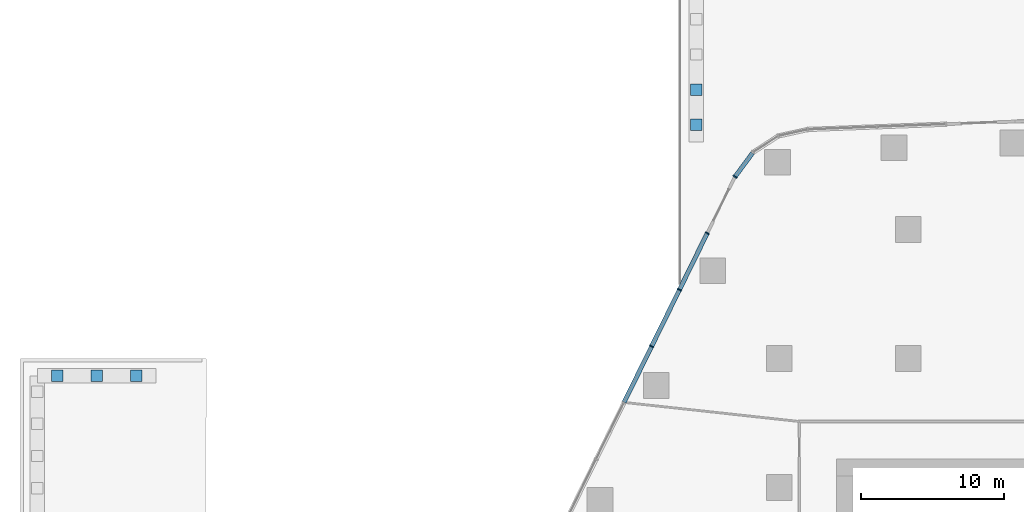
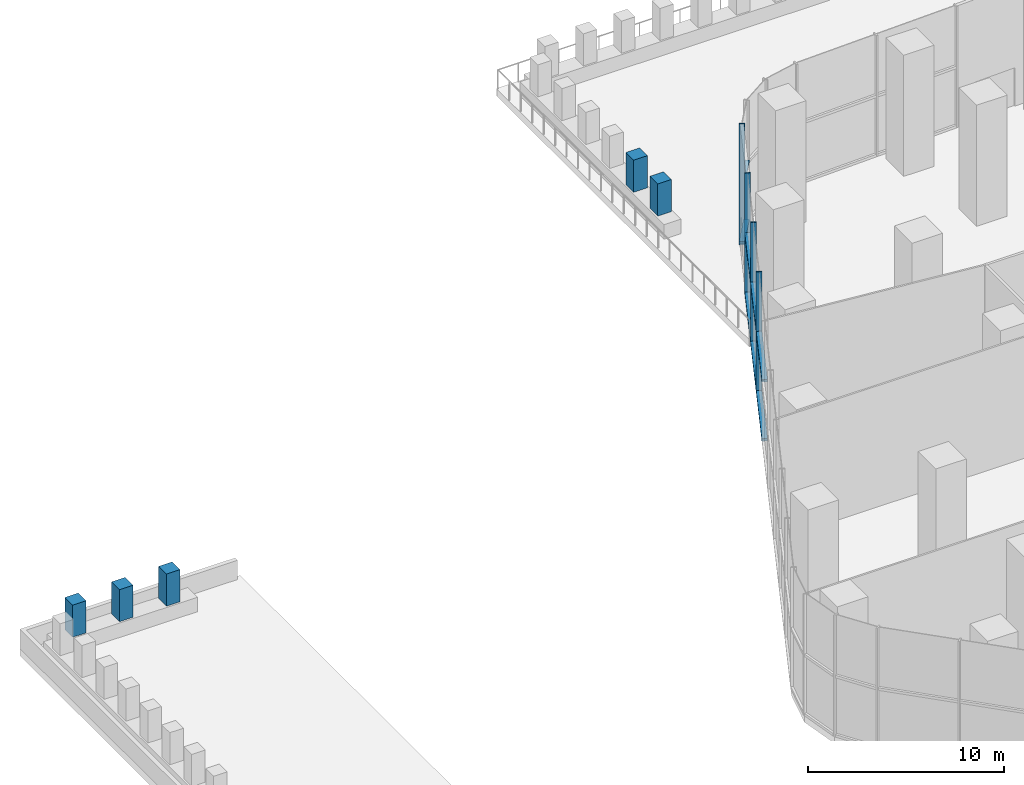
# One storey, part 7 of 22: 17 members, 2 elements without a shape of their own.
"""IFC4 building model written with IfcOpenShell, lengths in metres."""

from ifc_helpers import new_model, si_unit, direction, frame, origin, origin_2d, place, context, subcontext, project, spatial, rectangle, extrude, material, layer, layer_set, material_profile, profile_set, type_object, element, aggregate, save


model = new_model("IFC4")

# Units and contexts
model_context = context("Model", 3, precision=1e-05, world=origin(), true_north=direction((0.0, 1.0)))
body_context = subcontext(model_context, "Body", "Model", "MODEL_VIEW")
ifc_project = project(units=[si_unit("LENGTHUNIT", "METRE"), si_unit("AREAUNIT", "SQUARE_METRE"), si_unit("VOLUMEUNIT", "CUBIC_METRE"), si_unit("PLANEANGLEUNIT", "RADIAN"), si_unit("MASSUNIT", "GRAM", prefix="KILO")], contexts=[model_context])

# Site, building, storey
site_placement = place(None, origin())
site = spatial("IfcSite", under=ifc_project, at=site_placement, CompositionType="ELEMENT")
building_placement = place(site_placement, origin())
building = spatial("IfcBuilding", under=site, at=building_placement, Name="Dongbaek Canopy Tower", CompositionType="ELEMENT")
storey_placement = place(building_placement, frame((0.0, 0.0, 19.0)))
storey = spatial("IfcBuildingStorey", under=building, at=storey_placement, Name="L02", CompositionType="ELEMENT", Elevation=19.0)

# Curtain wall, member
ifc_material_1 = material(Name="Aluminium 6063-T6 pale anodised", Category="aluminium")
ifc_layer = layer(ifc_material_1, 0.300048828125)
ifc_layer_set = layer_set([ifc_layer], Name="CW-2 podium hall curtain wall")
curtain_wall_type = type_object("IfcCurtainWallType", Name="CW-2 podium hall curtain wall", PredefinedType="NOTDEFINED", material=ifc_layer_set)
curtain_wall_1_placement = place(storey_placement, origin())
curtain_wall_1 = element("IfcCurtainWall", 1, at=curtain_wall_1_placement, inside=storey, type_object=curtain_wall_type, Name="CW-2 curtain wall K3.1", PredefinedType="NOTDEFINED")
ifc_material_2 = material(Name="Aluminium 6063-T6 pale anodised", Category="aluminium")
ifc_material_profile_1 = material_profile(ifc_material_2, rectangle(XDim=0.300048828125, YDim=0.080078125, at=origin_2d()), Name="CW-2 mullion 80 x 300")
ifc_profile_set_1 = profile_set([ifc_material_profile_1], Name="Aluminium 6063-T6 pale anodised")
member_type_1 = type_object("IfcMemberType", Name="CW-2 mullion 80 x 300", PredefinedType="MULLION", material=ifc_profile_set_1)
member_1_placement = place(storey_placement, frame((-21.093505859375, 30.685302734375, 0.0), z_axis=(0.0, 0.0, 1.0), x_axis=(-0.804277971373, 0.594253266515, 0.0)))
member_1 = element("IfcMember", 2, at=member_1_placement, type_object=member_type_1, Name="CW-2 mullion K3.1.4", PredefinedType="MULLION", context=body_context, shape_type="SweptSolid", body=[
    extrude(rectangle(XDim=0.300048828125, YDim=0.080078125, at=origin_2d()), origin(), (0.0, 0.0, 1.0), 7.550048828125),
])

# Curtain wall, members
curtain_wall_2_placement = place(storey_placement, origin())
curtain_wall_2 = element("IfcCurtainWall", 3, at=curtain_wall_2_placement, inside=storey, type_object=curtain_wall_type, Name="CW-2 curtain wall F3.1", PredefinedType="NOTDEFINED")
member_2_placement = place(storey_placement, frame((-23.031005859375, 26.74560546875, 0.0), z_axis=(0.0, 0.0, 1.0), x_axis=(-0.897339166815, 0.441341613378, 0.0)))
member_2 = element("IfcMember", 4, at=member_2_placement, type_object=member_type_1, Name="CW-2 mullion F3.1.1", PredefinedType="MULLION", context=body_context, shape_type="SweptSolid", body=[
    extrude(rectangle(XDim=0.300048828125, YDim=0.080078125, at=origin_2d()), origin(), (0.0, 0.0, 1.0), 7.550048828125),
])
member_3_placement = place(storey_placement, frame((-24.97265625, 22.797607421875, 0.0), z_axis=(0.0, 0.0, 1.0), x_axis=(-0.897339166815, 0.441341613378, 0.0)))
member_3 = element("IfcMember", 5, at=member_3_placement, type_object=member_type_1, Name="CW-2 mullion F3.1.2", PredefinedType="MULLION", context=body_context, shape_type="SweptSolid", body=[
    extrude(rectangle(XDim=0.300048828125, YDim=0.080078125, at=origin_2d()), origin(), (0.0, 0.0, 1.0), 7.550048828125),
])
member_4_placement = place(storey_placement, frame((-26.914306640625, 18.849853515625, 0.0), z_axis=(0.0, 0.0, 1.0), x_axis=(-0.897339166815, 0.441341613378, 0.0)))
member_4 = element("IfcMember", 6, at=member_4_placement, type_object=member_type_1, Name="CW-2 mullion F3.1.3", PredefinedType="MULLION", context=body_context, shape_type="SweptSolid", body=[
    extrude(rectangle(XDim=0.300048828125, YDim=0.080078125, at=origin_2d()), origin(), (0.0, 0.0, 1.0), 7.550048828125),
])

# Member
ifc_material_3 = material(Name="Aluminium 6063-T6 pale anodised", Category="aluminium")
ifc_material_profile_2 = material_profile(ifc_material_3, rectangle(XDim=0.300048828125, YDim=0.159912109375, at=origin_2d()), Name="CW-2 transom 160 x 300")
ifc_profile_set_2 = profile_set([ifc_material_profile_2], Name="Aluminium 6063-T6 pale anodised")
member_type_2 = type_object("IfcMemberType", Name="CW-2 transom 160 x 300", PredefinedType="USERDEFINED", material=ifc_profile_set_2)
member_5_placement = place(storey_placement, frame((-19.869140625, 32.34228515625, 0.080078125), z_axis=(-0.594226975782, -0.804297396025, 0.0), x_axis=(0.804297396025, -0.594226975782, 0.0)))
member_5 = element("IfcMember", 7, at=member_5_placement, type_object=member_type_2, Name="CW-2 transom K3.1.3.1", ObjectType="TRANSOM", PredefinedType="USERDEFINED", context=body_context, shape_type="SweptSolid", body=[
    extrude(rectangle(XDim=0.300048828125, YDim=0.159912109375, at=origin_2d()), origin(), (0.0, 0.0, 1.0), 2.00830078125),
])

member_6_placement = place(storey_placement, frame((-19.869140625, 32.34228515625, 3.77490234375), z_axis=(-0.594226975782, -0.804297396025, 0.0), x_axis=(0.804297396025, -0.594226975782, 0.0)))
member_6 = element("IfcMember", 8, at=member_6_placement, type_object=member_type_2, Name="CW-2 transom K3.1.3.2", ObjectType="TRANSOM", PredefinedType="USERDEFINED", context=body_context, shape_type="SweptSolid", body=[
    extrude(rectangle(XDim=0.300048828125, YDim=0.159912109375, at=origin_2d()), origin(), (0.0, 0.0, 1.0), 2.00830078125),
])

aggregate(curtain_wall_1, [member_1, member_5, member_6])

member_7_placement = place(storey_placement, frame((-23.053955078125, 26.69873046875, 0.080078125), z_axis=(-0.441338412406, -0.897340741154, 0.0), x_axis=(0.897340741154, -0.441338412406, 0.0)))
member_7 = element("IfcMember", 9, at=member_7_placement, type_object=member_type_2, Name="CW-2 transom F3.1.1.1", ObjectType="TRANSOM", PredefinedType="USERDEFINED", context=body_context, shape_type="SweptSolid", body=[
    extrude(rectangle(XDim=0.300048828125, YDim=0.159912109375, at=origin_2d()), origin(), (0.0, 0.0, 1.0), 4.29541015625),
])

member_8_placement = place(storey_placement, frame((-23.053955078125, 26.69873046875, 3.77490234375), z_axis=(-0.441338412406, -0.897340741154, 0.0), x_axis=(0.897340741154, -0.441338412406, 0.0)))
member_8 = element("IfcMember", 10, at=member_8_placement, type_object=member_type_2, Name="CW-2 transom F3.1.1.2", ObjectType="TRANSOM", PredefinedType="USERDEFINED", context=body_context, shape_type="SweptSolid", body=[
    extrude(rectangle(XDim=0.300048828125, YDim=0.159912109375, at=origin_2d()), origin(), (0.0, 0.0, 1.0), 4.29541015625),
])

member_9_placement = place(storey_placement, frame((-24.99560546875, 22.7509765625, 0.080078125), z_axis=(-0.441338412406, -0.897340741154, 0.0), x_axis=(0.897340741154, -0.441338412406, 0.0)))
member_9 = element("IfcMember", 11, at=member_9_placement, type_object=member_type_2, Name="CW-2 transom F3.1.2.1", ObjectType="TRANSOM", PredefinedType="USERDEFINED", context=body_context, shape_type="SweptSolid", body=[
    extrude(rectangle(XDim=0.300048828125, YDim=0.159912109375, at=origin_2d()), origin(), (0.0, 0.0, 1.0), 4.29541015625),
])

member_10_placement = place(storey_placement, frame((-24.99560546875, 22.7509765625, 3.77490234375), z_axis=(-0.441338412406, -0.897340741154, 0.0), x_axis=(0.897340741154, -0.441338412406, 0.0)))
member_10 = element("IfcMember", 12, at=member_10_placement, type_object=member_type_2, Name="CW-2 transom F3.1.2.2", ObjectType="TRANSOM", PredefinedType="USERDEFINED", context=body_context, shape_type="SweptSolid", body=[
    extrude(rectangle(XDim=0.300048828125, YDim=0.159912109375, at=origin_2d()), origin(), (0.0, 0.0, 1.0), 4.29541015625),
])

member_11_placement = place(storey_placement, frame((-26.937255859375, 18.80322265625, 0.080078125), z_axis=(-0.441384176903, -0.897318231387, 0.0), x_axis=(0.897318231387, -0.441384176903, 0.0)))
member_11 = element("IfcMember", 13, at=member_11_placement, type_object=member_type_2, Name="CW-2 transom F3.1.3.1", ObjectType="TRANSOM", PredefinedType="USERDEFINED", context=body_context, shape_type="SweptSolid", body=[
    extrude(rectangle(XDim=0.300048828125, YDim=0.159912109375, at=origin_2d()), origin(), (0.0, 0.0, 1.0), 4.295654296875),
])

member_12_placement = place(storey_placement, frame((-26.937255859375, 18.80322265625, 3.77490234375), z_axis=(-0.441384176903, -0.897318231387, 0.0), x_axis=(0.897318231387, -0.441384176903, 0.0)))
member_12 = element("IfcMember", 14, at=member_12_placement, type_object=member_type_2, Name="CW-2 transom F3.1.3.2", ObjectType="TRANSOM", PredefinedType="USERDEFINED", context=body_context, shape_type="SweptSolid", body=[
    extrude(rectangle(XDim=0.300048828125, YDim=0.159912109375, at=origin_2d()), origin(), (0.0, 0.0, 1.0), 4.295654296875),
])

aggregate(curtain_wall_2, [member_2, member_3, member_4, member_7, member_8, member_9, member_10, member_11, member_12])

# Members
ifc_material_4 = material(Name="Concrete C40/50 planter mass with planting", Category="concrete")
ifc_material_profile_3 = material_profile(ifc_material_4, rectangle(XDim=0.800048828125, YDim=0.800048828125, at=origin_2d()), Name="Shrub planting 800 x 800 x 2000")
ifc_profile_set_3 = profile_set([ifc_material_profile_3], Name="Concrete C40/50 planter mass with planting")
member_type_3 = type_object("IfcMemberType", Name="Shrub planting 800 x 800 x 2000", PredefinedType="USERDEFINED", material=ifc_profile_set_3)
for number, where, z_axis, x_axis, name in (
    (15, (-23.7900390625, 34.318359375, 0.89990234375), (0.0, 0.0, 1.0), (1.0, 0.0, 0.0), "Podium shrub planting 1"),
    (16, (-23.7900390625, 36.767578125, 0.89990234375), (0.0, 0.0, 1.0), (1.0, 0.0, 0.0), "Podium shrub planting 2"),
    (17, (-68.4052734375, 16.789306640625, 0.89990234375), (0.0, 0.0, 1.0), (1.0, 0.0, 0.0), "Podium shrub planting 105"),
    (18, (-65.64306640625, 16.788330078125, 0.89990234375), (0.0, 0.0, 1.0), (1.0, 0.0, 0.0), "Podium shrub planting 106"),
    (19, (-62.881103515625, 16.78759765625, 0.89990234375), (0.0, 0.0, 1.0), (1.0, 0.0, 0.0), "Podium shrub planting 107"),
):
    element("IfcMember", number, at=place(storey_placement, frame(where, z_axis=z_axis, x_axis=x_axis)), inside=storey, type_object=member_type_3, Name=name, ObjectType="PLANTING", PredefinedType="USERDEFINED", context=body_context, shape_type="SweptSolid", body=[
        extrude(rectangle(XDim=0.800048828125, YDim=0.800048828125, at=origin_2d()), origin(), (0.0, 0.0, 1.0), 2.0),
    ])

save(model, "model.ifc")
